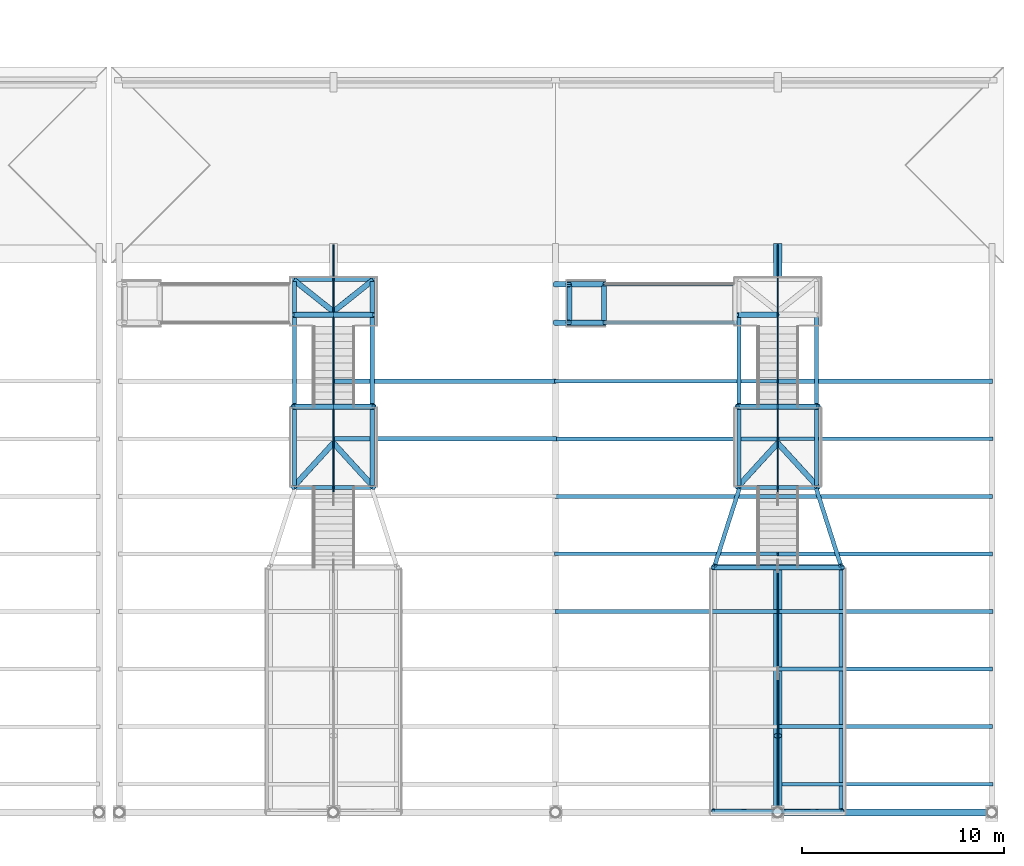
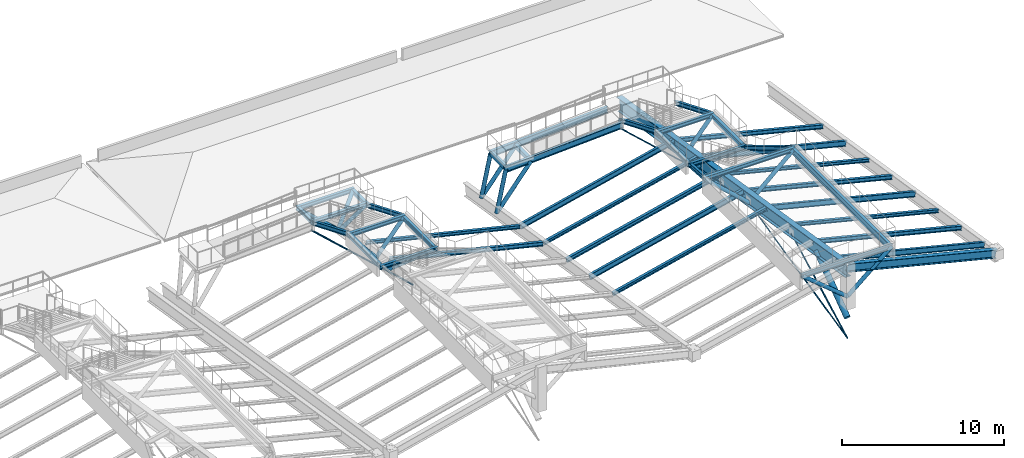
# One storey, part 14 of 43: 41 members, 27 beams.
"""IFC4 building model written with IfcOpenShell, lengths in metres."""

from ifc_helpers import new_model, si_unit, direction, frame, origin, origin_2d, place, context, subcontext, project, spatial, rectangle, circle, hollow_circle, i_section, extrude, material, material_profile, profile_set, type_object, element, save


model = new_model("IFC4")

# Units and contexts
model_context = context("Model", 3, precision=1e-05, world=origin(), true_north=direction((0.0, 1.0)))
body_context = subcontext(model_context, "Body", "Model", "MODEL_VIEW")
ifc_project = project(units=[si_unit("LENGTHUNIT", "METRE"), si_unit("AREAUNIT", "SQUARE_METRE"), si_unit("VOLUMEUNIT", "CUBIC_METRE"), si_unit("PLANEANGLEUNIT", "RADIAN"), si_unit("MASSUNIT", "GRAM", prefix="KILO")], contexts=[model_context])

# Site, building, storey
site_placement = place(None, origin())
site = spatial("IfcSite", under=ifc_project, at=site_placement, CompositionType="ELEMENT")
building_placement = place(site_placement, origin())
building = spatial("IfcBuilding", under=site, at=building_placement, Name="Caurita Quay Ferry Terminal", CompositionType="ELEMENT")
storey_placement = place(building_placement, frame((0.0, 0.0, 14.10009765625)))
storey = spatial("IfcBuildingStorey", under=building, at=storey_placement, Name="L03", CompositionType="ELEMENT", Elevation=14.10009765625)

# Beams
ifc_material_1 = material(Name="Structural steel ASTM A992 Gr. 50", Category="steel")
ifc_material_profile_1 = material_profile(ifc_material_1, i_section(OverallWidth=0.193115234375, OverallDepth=0.46728515625, WebThickness=0.011474609375, FlangeThickness=0.01904296875, FilletRadius=0.0126953125, at=origin_2d()), Name="W18X65")
ifc_profile_set_1 = profile_set([ifc_material_profile_1], Name="Structural steel ASTM A992 Gr. 50")
beam_type_1 = type_object("IfcBeamType", Name="BM-GR-W18A", PredefinedType="BEAM", material=ifc_profile_set_1)
beam_1_placement = place(storey_placement, frame((124.320068359375, 46.627685546875, 3.26611328125), z_axis=(0.0, -1.0, 0.0), x_axis=(1.0, 0.0, 0.0)))
element("IfcBeam", 1, at=beam_1_placement, inside=storey, type_object=beam_type_1, Name="Folded Roof Bay 6 Lookout Edge Beam 10", PredefinedType="BEAM", context=body_context, shape_type="SweptSolid", body=[
    extrude(i_section(OverallWidth=0.193115234375, OverallDepth=0.46728515625, WebThickness=0.011474609375, FlangeThickness=0.01904296875, FilletRadius=0.0126953125, at=origin_2d()), origin(), (0.0, 0.0, 1.0), 11.87548828125),
])
for number, where, z_axis, x_axis, name in (
    (2, (110.75, 58.85009765625, -0.78369140625), (0.998577828833, 0.0, 0.053313410734), (0.0, 1.0, 0.0), "Folded Roof Bay 6 Ramp Underside Stringer S"),
    (3, (110.75, 60.75, -0.78369140625), (0.998577828833, 0.0, 0.053313410734), (0.0, 1.0, 0.0), "Folded Roof Bay 6 Ramp Underside Stringer N"),
):
    element("IfcBeam", number, at=place(storey_placement, frame(where, z_axis=z_axis, x_axis=x_axis)), inside=storey, type_object=beam_type_1, Name=name, PredefinedType="BEAM", context=body_context, shape_type="SweptSolid", body=[
        extrude(i_section(OverallWidth=0.193115234375, OverallDepth=0.46728515625, WebThickness=0.011474609375, FlangeThickness=0.01904296875, FilletRadius=0.0126953125, at=origin_2d()), origin(), (0.0, 0.0, 1.0), 8.439697265625),
    ])
ifc_material_profile_2 = material_profile(ifc_material_1, i_section(OverallWidth=0.3251953125, OverallDepth=0.612060546875, WebThickness=0.0126953125, FlangeThickness=0.01904296875, FilletRadius=0.01513671875, at=origin_2d()), Name="W24X104")
ifc_profile_set_2 = profile_set([ifc_material_profile_2], Name="Structural steel ASTM A992 Gr. 50")
beam_type_2 = type_object("IfcBeamType", Name="BM-GR-W24A", PredefinedType="BEAM", material=ifc_profile_set_2)
beam_2_placement = place(storey_placement, frame((121.199951171875, 34.60009765625, 2.906005859375), z_axis=(0.970355100302, 0.0, -0.241683634775), x_axis=(0.0, 1.0, 0.0)))
element("IfcBeam", 4, at=beam_2_placement, inside=storey, type_object=beam_type_2, Name="Folded Roof Gable Ring Girder V2-S-121", PredefinedType="BEAM", context=body_context, shape_type="SweptSolid", body=[
    extrude(i_section(OverallWidth=0.3251953125, OverallDepth=0.612060546875, WebThickness=0.0126953125, FlangeThickness=0.01904296875, FilletRadius=0.01513671875, at=origin_2d()), origin(), (0.0, 0.0, 1.0), 10.923828125),
])
ifc_material_profile_3 = material_profile(ifc_material_1, i_section(OverallWidth=0.4013671875, OverallDepth=1.00830078125, WebThickness=0.02099609375, FlangeThickness=0.0400390625, FilletRadius=0.025390625, at=origin_2d()), Name="W40X277")
ifc_profile_set_3 = profile_set([ifc_material_profile_3], Name="Structural steel ASTM A992 Gr. 50")
beam_type_3 = type_object("IfcBeamType", Name="BM-RF-W40B", PredefinedType="BEAM", material=ifc_profile_set_3)
beam_3_placement = place(storey_placement, frame((121.199951171875, 62.699951171875, -1.78564453125), z_axis=(0.0, -0.98744132788, 0.157986151272), x_axis=(1.0, 0.0, 0.0)))
element("IfcBeam", 5, at=beam_3_placement, inside=storey, type_object=beam_type_3, Name="Folded Roof Ridge Girder V2-04", PredefinedType="BEAM", context=body_context, shape_type="SweptSolid", body=[
    extrude(i_section(OverallWidth=0.4013671875, OverallDepth=1.00830078125, WebThickness=0.02099609375, FlangeThickness=0.0400390625, FilletRadius=0.025390625, at=origin_2d()), origin(), (0.0, 0.0, 1.0), 28.457275390625),
])
ifc_material_profile_4 = material_profile(ifc_material_1, i_section(OverallWidth=0.20458984375, OverallDepth=0.307373046875, WebThickness=0.008544921875, FlangeThickness=0.0146484375, FilletRadius=0.0126953125, at=origin_2d()), Name="W12X45")
ifc_profile_set_4 = profile_set([ifc_material_profile_4], Name="Structural steel ASTM A992 Gr. 50")
beam_type_4 = type_object("IfcBeamType", Name="BM-TRM-W12", PredefinedType="BEAM", material=ifc_profile_set_4)
for number, where, z_axis, x_axis, name in (
    (6, (97.14990234375, 61.0, -0.25390625), (1.0, 0.0, 0.0), (0.0, 1.0, 0.0), "Folded Roof Bay 5 Stair Trimmer Beam 1"),
    (7, (97.14990234375, 59.25, -0.25390625), (1.0, 0.0, 0.0), (0.0, 1.0, 0.0), "Folded Roof Bay 5 Stair Trimmer Beam 2"),
    (8, (97.14990234375, 54.68994140625, 1.546142578125), (1.0, 0.0, 0.0), (0.0, 1.0, 0.0), "Folded Roof Bay 5 Stair Trimmer Beam 3"),
    (9, (97.14990234375, 50.68994140625, 1.546142578125), (1.0, 0.0, 0.0), (0.0, 1.0, 0.0), "Folded Roof Bay 5 Stair Trimmer Beam 4"),
):
    element("IfcBeam", number, at=place(storey_placement, frame(where, z_axis=z_axis, x_axis=x_axis)), inside=storey, type_object=beam_type_4, Name=name, PredefinedType="BEAM", context=body_context, shape_type="SweptSolid", body=[
        extrude(i_section(OverallWidth=0.20458984375, OverallDepth=0.307373046875, WebThickness=0.008544921875, FlangeThickness=0.0146484375, FilletRadius=0.0126953125, at=origin_2d()), origin(), (0.0, 0.0, 1.0), 4.10009765625),
    ])
for number, where, z_axis, x_axis, name in (
    (10, (97.280029296875, 60.897705078125, -0.25390625), (0.0, -1.0, 0.0), (1.0, 0.0, 0.0), "Folded Roof Bay 5 Lookout Edge Beam 01"),
    (11, (101.1201171875, 60.897705078125, -0.25390625), (0.0, -1.0, 0.0), (1.0, 0.0, 0.0), "Folded Roof Bay 5 Lookout Edge Beam 02"),
):
    element("IfcBeam", number, at=place(storey_placement, frame(where, z_axis=z_axis, x_axis=x_axis)), inside=storey, type_object=beam_type_4, Name=name, PredefinedType="BEAM", context=body_context, shape_type="SweptSolid", body=[
        extrude(i_section(OverallWidth=0.20458984375, OverallDepth=0.307373046875, WebThickness=0.008544921875, FlangeThickness=0.0146484375, FilletRadius=0.0126953125, at=origin_2d()), origin(), (0.0, 0.0, 1.0), 1.54541015625),
    ])
for number, where, z_axis, x_axis, name in (
    (12, (97.280029296875, 59.147705078125, -0.25390625), (0.0, -0.924182728414, 0.381950630975), (1.0, 0.0, 0.0), "Folded Roof Bay 5 Lookout Edge Beam 03"),
    (13, (101.1201171875, 59.147705078125, -0.25390625), (0.0, -0.924182728414, 0.381950630975), (1.0, 0.0, 0.0), "Folded Roof Bay 5 Lookout Edge Beam 04"),
):
    element("IfcBeam", number, at=place(storey_placement, frame(where, z_axis=z_axis, x_axis=x_axis)), inside=storey, type_object=beam_type_4, Name=name, PredefinedType="BEAM", context=body_context, shape_type="SweptSolid", body=[
        extrude(i_section(OverallWidth=0.20458984375, OverallDepth=0.307373046875, WebThickness=0.008544921875, FlangeThickness=0.0146484375, FilletRadius=0.0126953125, at=origin_2d()), origin(), (0.0, 0.0, 1.0), 4.712890625),
    ])
for number, where, z_axis, x_axis, name in (
    (14, (97.280029296875, 54.587890625, 1.546142578125), (0.0, -1.0, 0.0), (1.0, 0.0, 0.0), "Folded Roof Bay 5 Lookout Edge Beam 05"),
    (15, (101.1201171875, 54.587890625, 1.546142578125), (0.0, -1.0, 0.0), (1.0, 0.0, 0.0), "Folded Roof Bay 5 Lookout Edge Beam 06"),
):
    element("IfcBeam", number, at=place(storey_placement, frame(where, z_axis=z_axis, x_axis=x_axis)), inside=storey, type_object=beam_type_4, Name=name, PredefinedType="BEAM", context=body_context, shape_type="SweptSolid", body=[
        extrude(i_section(OverallWidth=0.20458984375, OverallDepth=0.307373046875, WebThickness=0.008544921875, FlangeThickness=0.0146484375, FilletRadius=0.0126953125, at=origin_2d()), origin(), (0.0, 0.0, 1.0), 3.795654296875),
    ])
for number, where, z_axis, x_axis, name in (
    (16, (119.14990234375, 54.68994140625, 1.546142578125), (1.0, 0.0, 0.0), (0.0, 1.0, 0.0), "Folded Roof Bay 6 Stair Trimmer Beam 3"),
    (17, (119.14990234375, 50.68994140625, 1.546142578125), (1.0, 0.0, 0.0), (0.0, 1.0, 0.0), "Folded Roof Bay 6 Stair Trimmer Beam 4"),
):
    element("IfcBeam", number, at=place(storey_placement, frame(where, z_axis=z_axis, x_axis=x_axis)), inside=storey, type_object=beam_type_4, Name=name, PredefinedType="BEAM", context=body_context, shape_type="SweptSolid", body=[
        extrude(i_section(OverallWidth=0.20458984375, OverallDepth=0.307373046875, WebThickness=0.008544921875, FlangeThickness=0.0146484375, FilletRadius=0.0126953125, at=origin_2d()), origin(), (0.0, 0.0, 1.0), 4.10009765625),
    ])
for number, where, z_axis, x_axis, name in (
    (18, (117.949951171875, 46.72998046875, 3.34619140625), (1.0, 0.0, 0.0), (0.0, 1.0, 0.0), "Folded Roof Bay 6 Stair Trimmer Beam 5"),
    (19, (117.949951171875, 34.64990234375, 3.34619140625), (1.0, 0.0, 0.0), (0.0, 1.0, 0.0), "Folded Roof Bay 6 Stair Trimmer Beam 6"),
):
    element("IfcBeam", number, at=place(storey_placement, frame(where, z_axis=z_axis, x_axis=x_axis)), inside=storey, type_object=beam_type_4, Name=name, PredefinedType="BEAM", context=body_context, shape_type="SweptSolid", body=[
        extrude(i_section(OverallWidth=0.20458984375, OverallDepth=0.307373046875, WebThickness=0.008544921875, FlangeThickness=0.0146484375, FilletRadius=0.0126953125, at=origin_2d()), origin(), (0.0, 0.0, 1.0), 6.5),
    ])
for number, where, z_axis, x_axis, name in (
    (20, (119.280029296875, 59.147705078125, -0.25390625), (0.0, -0.924182728414, 0.381950630975), (1.0, 0.0, 0.0), "Folded Roof Bay 6 Lookout Edge Beam 03"),
    (21, (123.1201171875, 59.147705078125, -0.25390625), (0.0, -0.924182728414, 0.381950630975), (1.0, 0.0, 0.0), "Folded Roof Bay 6 Lookout Edge Beam 04"),
):
    element("IfcBeam", number, at=place(storey_placement, frame(where, z_axis=z_axis, x_axis=x_axis)), inside=storey, type_object=beam_type_4, Name=name, PredefinedType="BEAM", context=body_context, shape_type="SweptSolid", body=[
        extrude(i_section(OverallWidth=0.20458984375, OverallDepth=0.307373046875, WebThickness=0.008544921875, FlangeThickness=0.0146484375, FilletRadius=0.0126953125, at=origin_2d()), origin(), (0.0, 0.0, 1.0), 4.712890625),
    ])
for number, where, z_axis, x_axis, name in (
    (22, (119.280029296875, 54.587890625, 1.546142578125), (0.0, -1.0, 0.0), (1.0, 0.0, 0.0), "Folded Roof Bay 6 Lookout Edge Beam 05"),
    (23, (123.1201171875, 54.587890625, 1.546142578125), (0.0, -1.0, 0.0), (1.0, 0.0, 0.0), "Folded Roof Bay 6 Lookout Edge Beam 06"),
):
    element("IfcBeam", number, at=place(storey_placement, frame(where, z_axis=z_axis, x_axis=x_axis)), inside=storey, type_object=beam_type_4, Name=name, PredefinedType="BEAM", context=body_context, shape_type="SweptSolid", body=[
        extrude(i_section(OverallWidth=0.20458984375, OverallDepth=0.307373046875, WebThickness=0.008544921875, FlangeThickness=0.0146484375, FilletRadius=0.0126953125, at=origin_2d()), origin(), (0.0, 0.0, 1.0), 3.795654296875),
    ])
for number, where, z_axis, x_axis, name in (
    (24, (119.280029296875, 50.587890625, 1.546142578125), (-0.276860750417, -0.866520635538, 0.415319290504), (0.952559941387, -0.304351044134, 0.0), "Folded Roof Bay 6 Lookout Edge Beam 07"),
    (25, (123.1201171875, 50.587890625, 1.546142578125), (0.276860750417, -0.866520635538, 0.415319290504), (0.952559941387, 0.304351044134, 0.0), "Folded Roof Bay 6 Lookout Edge Beam 08"),
):
    element("IfcBeam", number, at=place(storey_placement, frame(where, z_axis=z_axis, x_axis=x_axis)), inside=storey, type_object=beam_type_4, Name=name, PredefinedType="BEAM", context=body_context, shape_type="SweptSolid", body=[
        extrude(i_section(OverallWidth=0.20458984375, OverallDepth=0.307373046875, WebThickness=0.008544921875, FlangeThickness=0.0146484375, FilletRadius=0.0126953125, at=origin_2d()), origin(), (0.0, 0.0, 1.0), 4.334228515625),
    ])
ifc_material_2 = material(Name="Reinforced concrete C35/45", Category="concrete")
ifc_material_profile_5 = material_profile(ifc_material_2, rectangle(XDim=0.25, YDim=0.300048828125, at=origin_2d()), Name="RC-LN-250X300")
ifc_profile_set_5 = profile_set([ifc_material_profile_5], Name="Reinforced concrete C35/45")
beam_type_5 = type_object("IfcBeamType", Name="LN-RC-2530", PredefinedType="LINTEL", material=ifc_profile_set_5)
for number, where, z_axis, x_axis, name in (
    (26, (110.8798828125, 58.946533203125, -0.7001953125), (0.0, 1.0, 0.0), (-1.0, 0.0, 0.0), "Folded Roof Bay 6 Ramp Pad Transverse Beam 1"),
    (27, (112.60009765625, 58.946533203125, -0.7001953125), (0.0, 1.0, 0.0), (-1.0, 0.0, 0.0), "Folded Roof Bay 6 Ramp Pad Transverse Beam 2"),
):
    element("IfcBeam", number, at=place(storey_placement, frame(where, z_axis=z_axis, x_axis=x_axis)), inside=storey, type_object=beam_type_5, Name=name, PredefinedType="LINTEL", context=body_context, shape_type="SweptSolid", body=[
        extrude(rectangle(XDim=0.25, YDim=0.300048828125, at=origin_2d()), origin(), (0.0, 0.0, 1.0), 1.70703125),
    ])

# Members
ifc_material_3 = material(Name="Structural stay cable steel ASTM A586", Category="steel")
ifc_material_profile_6 = material_profile(ifc_material_3, circle(Radius=0.031982421875, at=origin_2d()), Name="CABLE-D64")
ifc_profile_set_6 = profile_set([ifc_material_profile_6], Name="Structural stay cable steel ASTM A586")
member_type_1 = type_object("IfcMemberType", Name="MEM-CBL-64", PredefinedType="USERDEFINED", material=ifc_profile_set_6)
member_1_placement = place(storey_placement, frame((121.199951171875, 34.60009765625, -2.4501953125), z_axis=(0.0, 0.973633419995, 0.228118310246), x_axis=(-1.0, 0.0, 0.0)))
element("IfcMember", 28, at=member_1_placement, inside=storey, type_object=member_type_1, Name="Folded Roof Stay Cable V2-04-S2", ObjectType="STAY CABLE", PredefinedType="USERDEFINED", context=body_context, shape_type="SweptSolid", body=[
    extrude(circle(Radius=0.031982421875, at=origin_2d()), origin(), (0.0, 0.0, 1.0), 12.5302734375),
])
member_2_placement = place(storey_placement, frame((121.199951171875, 62.699951171875, -3.650146484375), z_axis=(0.0, -0.962913233347, 0.269811239657), x_axis=(1.0, 0.0, 0.0)))
element("IfcMember", 29, at=member_2_placement, inside=storey, type_object=member_type_1, Name="Folded Roof Stay Cable V2-04-N2", ObjectType="STAY CABLE", PredefinedType="USERDEFINED", context=body_context, shape_type="SweptSolid", body=[
    extrude(circle(Radius=0.031982421875, at=origin_2d()), origin(), (0.0, 0.0, 1.0), 13.085205078125),
])
ifc_material_profile_7 = material_profile(ifc_material_3, circle(Radius=0.0380859375, at=origin_2d()), Name="CABLE-D76")
ifc_profile_set_7 = profile_set([ifc_material_profile_7], Name="Structural stay cable steel ASTM A586")
member_type_2 = type_object("IfcMemberType", Name="MEM-CBL-76", PredefinedType="USERDEFINED", material=ifc_profile_set_7)
member_3_placement = place(storey_placement, frame((121.199951171875, 34.60009765625, -2.4501953125), z_axis=(0.0, 0.880939084742, 0.473229678882), x_axis=(-1.0, 0.0, 0.0)))
element("IfcMember", 30, at=member_3_placement, inside=storey, type_object=member_type_2, Name="Folded Roof Stay Cable V2-04-S1", ObjectType="STAY CABLE", PredefinedType="USERDEFINED", context=body_context, shape_type="SweptSolid", body=[
    extrude(circle(Radius=0.0380859375, at=origin_2d()), origin(), (0.0, 0.0, 1.0), 7.83251953125),
])
ifc_material_profile_8 = material_profile(ifc_material_3, circle(Radius=0.044921875, at=origin_2d()), Name="CABLE-D90")
ifc_profile_set_8 = profile_set([ifc_material_profile_8], Name="Structural stay cable steel ASTM A586")
member_type_3 = type_object("IfcMemberType", Name="MEM-CBL-90", PredefinedType="USERDEFINED", material=ifc_profile_set_8)
member_4_placement = place(storey_placement, frame((99.199951171875, 62.699951171875, -3.650146484375), z_axis=(0.0, -0.963039177166, 0.269361361824), x_axis=(1.0, 0.0, 0.0)))
element("IfcMember", 31, at=member_4_placement, inside=storey, type_object=member_type_3, Name="Folded Roof Stay Cable V2-02-N2", ObjectType="STAY CABLE", PredefinedType="USERDEFINED", context=body_context, shape_type="SweptSolid", body=[
    extrude(circle(Radius=0.044921875, at=origin_2d()), origin(), (0.0, 0.0, 1.0), 13.08349609375),
])
ifc_material_profile_9 = material_profile(ifc_material_1, i_section(OverallWidth=0.2021484375, OverallDepth=0.246337890625, WebThickness=0.00732421875, FlangeThickness=0.010986328125, FilletRadius=0.01025390625, at=origin_2d()), Name="W10X33")
ifc_profile_set_9 = profile_set([ifc_material_profile_9], Name="Structural steel ASTM A992 Gr. 50")
member_type_4 = type_object("IfcMemberType", Name="MEM-PUR-10", PredefinedType="PURLIN", material=ifc_profile_set_9)
for number, where, z_axis, x_axis, name in (
    (32, (99.199951171875, 55.949951171875, -0.47998046875), (0.972384559308, 0.0, -0.23338437998), (0.0, 1.0, 0.0), "Folded Roof Purlin PUR-098"),
    (33, (110.199951171875, 44.550048828125, -1.296142578125), (0.972384559308, 0.0, 0.23338437998), (0.0, 1.0, 0.0), "Folded Roof Purlin PUR-104"),
):
    element("IfcMember", number, at=place(storey_placement, frame(where, z_axis=z_axis, x_axis=x_axis)), inside=storey, type_object=member_type_4, Name=name, PredefinedType="PURLIN", context=body_context, shape_type="SweptSolid", body=[
        extrude(i_section(OverallWidth=0.2021484375, OverallDepth=0.246337890625, WebThickness=0.00732421875, FlangeThickness=0.010986328125, FilletRadius=0.01025390625, at=origin_2d()), origin(), (0.0, 0.0, 1.0), 11.3125),
    ])
member_5_placement = place(storey_placement, frame((110.199951171875, 53.10009765625, -2.6640625), z_axis=(0.972389456854, 0.0, 0.233363973654), x_axis=(0.0, 1.0, 0.0)))
element("IfcMember", 34, at=member_5_placement, inside=storey, type_object=member_type_4, Name="Folded Roof Purlin PUR-107", PredefinedType="PURLIN", context=body_context, shape_type="SweptSolid", body=[
    extrude(i_section(OverallWidth=0.2021484375, OverallDepth=0.246337890625, WebThickness=0.00732421875, FlangeThickness=0.010986328125, FilletRadius=0.01025390625, at=origin_2d()), origin(), (0.0, 0.0, 1.0), 11.312255859375),
])
for number, where, z_axis, x_axis, name in (
    (35, (121.199951171875, 41.699951171875, 1.7998046875), (0.9703603414, 0.0, -0.241662590897), (0.0, 1.0, 0.0), "Folded Roof Purlin PUR-113"),
    (36, (121.199951171875, 50.25, 0.431884765625), (0.9703603414, 0.0, -0.241662590897), (0.0, 1.0, 0.0), "Folded Roof Purlin PUR-116"),
):
    element("IfcMember", number, at=place(storey_placement, frame(where, z_axis=z_axis, x_axis=x_axis)), inside=storey, type_object=member_type_4, Name=name, PredefinedType="PURLIN", context=body_context, shape_type="SweptSolid", body=[
        extrude(i_section(OverallWidth=0.2021484375, OverallDepth=0.246337890625, WebThickness=0.00732421875, FlangeThickness=0.010986328125, FilletRadius=0.01025390625, at=origin_2d()), origin(), (0.0, 0.0, 1.0), 10.923828125),
    ])
ifc_material_profile_10 = material_profile(ifc_material_1, i_section(OverallWidth=0.20458984375, OverallDepth=0.307373046875, WebThickness=0.008544921875, FlangeThickness=0.0146484375, FilletRadius=0.0126953125, at=origin_2d()), Name="W12X45")
ifc_profile_set_10 = profile_set([ifc_material_profile_10], Name="Structural steel ASTM A992 Gr. 50")
member_type_5 = type_object("IfcMemberType", Name="MEM-PUR-12", PredefinedType="PURLIN", material=ifc_profile_set_10)
for number, where, z_axis, x_axis, name in (
    (37, (99.199951171875, 53.10009765625, -0.024169921875), (0.972389456854, 0.0, -0.233363973654), (0.0, 1.0, 0.0), "Folded Roof Purlin PUR-097"),
    (38, (110.199951171875, 50.25, -2.2080078125), (0.972389456854, 0.0, 0.233363973654), (0.0, 1.0, 0.0), "Folded Roof Purlin PUR-106"),
):
    element("IfcMember", number, at=place(storey_placement, frame(where, z_axis=z_axis, x_axis=x_axis)), inside=storey, type_object=member_type_5, Name=name, PredefinedType="PURLIN", context=body_context, shape_type="SweptSolid", body=[
        extrude(i_section(OverallWidth=0.20458984375, OverallDepth=0.307373046875, WebThickness=0.008544921875, FlangeThickness=0.0146484375, FilletRadius=0.0126953125, at=origin_2d()), origin(), (0.0, 0.0, 1.0), 11.312255859375),
    ])
for number, where, z_axis, x_axis, name in (
    (39, (121.199951171875, 38.85009765625, 2.255859375), (0.9703603414, 0.0, -0.241662590897), (0.0, 1.0, 0.0), "Folded Roof Purlin PUR-112"),
    (40, (121.199951171875, 47.39990234375, 0.887939453125), (0.970355100302, 0.0, -0.241683634775), (0.0, 1.0, 0.0), "Folded Roof Purlin PUR-115"),
    (41, (121.199951171875, 55.949951171875, -0.47998046875), (0.970355100302, 0.0, -0.241683634775), (0.0, 1.0, 0.0), "Folded Roof Purlin PUR-118"),
):
    element("IfcMember", number, at=place(storey_placement, frame(where, z_axis=z_axis, x_axis=x_axis)), inside=storey, type_object=member_type_5, Name=name, PredefinedType="PURLIN", context=body_context, shape_type="SweptSolid", body=[
        extrude(i_section(OverallWidth=0.20458984375, OverallDepth=0.307373046875, WebThickness=0.008544921875, FlangeThickness=0.0146484375, FilletRadius=0.0126953125, at=origin_2d()), origin(), (0.0, 0.0, 1.0), 10.923828125),
    ])
ifc_material_profile_11 = material_profile(ifc_material_1, i_section(OverallWidth=0.177734375, OverallDepth=0.40380859375, WebThickness=0.007568359375, FlangeThickness=0.010986328125, FilletRadius=0.011474609375, at=origin_2d()), Name="W16X36")
ifc_profile_set_11 = profile_set([ifc_material_profile_11], Name="Structural steel ASTM A992 Gr. 50")
member_type_6 = type_object("IfcMemberType", Name="MEM-PUR-16", PredefinedType="PURLIN", material=ifc_profile_set_11)
for number, where, z_axis, x_axis, name in (
    (42, (110.199951171875, 47.39990234375, -1.752197265625), (0.972384559308, 0.0, 0.23338437998), (0.0, 1.0, 0.0), "Folded Roof Purlin PUR-105"),
    (43, (110.199951171875, 55.949951171875, -3.1201171875), (0.972384559308, 0.0, 0.23338437998), (0.0, 1.0, 0.0), "Folded Roof Purlin PUR-108"),
):
    element("IfcMember", number, at=place(storey_placement, frame(where, z_axis=z_axis, x_axis=x_axis)), inside=storey, type_object=member_type_6, Name=name, PredefinedType="PURLIN", context=body_context, shape_type="SweptSolid", body=[
        extrude(i_section(OverallWidth=0.177734375, OverallDepth=0.40380859375, WebThickness=0.007568359375, FlangeThickness=0.010986328125, FilletRadius=0.011474609375, at=origin_2d()), origin(), (0.0, 0.0, 1.0), 11.3125),
    ])
for number, where, z_axis, x_axis, name in (
    (44, (121.199951171875, 36.0, 2.7119140625), (0.9703603414, 0.0, -0.241662590897), (0.0, 1.0, 0.0), "Folded Roof Purlin PUR-111"),
    (45, (121.199951171875, 44.550048828125, 1.343994140625), (0.970355100302, 0.0, -0.241683634775), (0.0, 1.0, 0.0), "Folded Roof Purlin PUR-114"),
    (46, (121.199951171875, 53.10009765625, -0.024169921875), (0.9703603414, 0.0, -0.241662590897), (0.0, 1.0, 0.0), "Folded Roof Purlin PUR-117"),
):
    element("IfcMember", number, at=place(storey_placement, frame(where, z_axis=z_axis, x_axis=x_axis)), inside=storey, type_object=member_type_6, Name=name, PredefinedType="PURLIN", context=body_context, shape_type="SweptSolid", body=[
        extrude(i_section(OverallWidth=0.177734375, OverallDepth=0.40380859375, WebThickness=0.007568359375, FlangeThickness=0.010986328125, FilletRadius=0.011474609375, at=origin_2d()), origin(), (0.0, 0.0, 1.0), 10.923828125),
    ])
ifc_material_4 = material(Name="Hollow structural steel ASTM A500 Gr. C", Category="steel")
ifc_material_profile_12 = material_profile(ifc_material_4, hollow_circle(Radius=0.136474609375, WallThickness=0.008544921875, at=origin_2d()), Name="HSS10.750X0.365")
ifc_profile_set_12 = profile_set([ifc_material_profile_12], Name="Hollow structural steel ASTM A500 Gr. C")
member_type_7 = type_object("IfcMemberType", Name="MEM-STR-10", PredefinedType="STRUT", material=ifc_profile_set_12)
for number, where, z_axis, x_axis, name in (
    (47, (99.199951171875, 59.39990234375, -1.612060546875), (-0.691667618679, 0.550612118648, 0.467356609099), (-0.622815852586, -0.782368464196, 0.0), "Folded Roof Bay 5 Lookout Bent Strut 1W"),
    (48, (99.199951171875, 59.39990234375, -1.612060546875), (0.691667618679, 0.550612118648, 0.467356609099), (-0.622815852586, 0.782368464196, 0.0), "Folded Roof Bay 5 Lookout Bent Strut 1E"),
):
    element("IfcMember", number, at=place(storey_placement, frame(where, z_axis=z_axis, x_axis=x_axis)), inside=storey, type_object=member_type_7, Name=name, PredefinedType="STRUT", context=body_context, shape_type="SweptSolid", body=[
        extrude(hollow_circle(Radius=0.136474609375, WallThickness=0.008544921875, at=origin_2d()), origin(), (0.0, 0.0, 1.0), 2.906005859375),
    ])
for number, where, z_axis, x_axis, name in (
    (49, (99.199951171875, 59.25, -1.588134765625), (-0.833154023722, 0.0, 0.55304102267), (0.0, -1.0, 0.0), "Folded Roof Bay 5 Lookout Bent Strut 2W"),
    (50, (99.199951171875, 59.25, -1.588134765625), (0.833154023722, 0.0, 0.55304102267), (0.0, 1.0, 0.0), "Folded Roof Bay 5 Lookout Bent Strut 2E"),
):
    element("IfcMember", number, at=place(storey_placement, frame(where, z_axis=z_axis, x_axis=x_axis)), inside=storey, type_object=member_type_7, Name=name, PredefinedType="STRUT", context=body_context, shape_type="SweptSolid", body=[
        extrude(hollow_circle(Radius=0.136474609375, WallThickness=0.008544921875, at=origin_2d()), origin(), (0.0, 0.0, 1.0), 2.41259765625),
    ])
for number, where, z_axis, x_axis, name in (
    (51, (99.199951171875, 54.68994140625, -0.8583984375), (-0.641355995055, 0.0, 0.767243434385), (0.0, -1.0, 0.0), "Folded Roof Bay 5 Lookout Bent Strut 3W"),
    (52, (99.199951171875, 54.68994140625, -0.8583984375), (0.641355995055, 0.0, 0.767243434385), (0.0, 1.0, 0.0), "Folded Roof Bay 5 Lookout Bent Strut 3E"),
):
    element("IfcMember", number, at=place(storey_placement, frame(where, z_axis=z_axis, x_axis=x_axis)), inside=storey, type_object=member_type_7, Name=name, PredefinedType="STRUT", context=body_context, shape_type="SweptSolid", body=[
        extrude(hollow_circle(Radius=0.136474609375, WallThickness=0.008544921875, at=origin_2d()), origin(), (0.0, 0.0, 1.0), 3.134033203125),
    ])
for number, where, z_axis, x_axis, name in (
    (53, (99.199951171875, 52.889892578125, -0.570556640625), (-0.549907207935, -0.601872203414, 0.579095772234), (0.738258416995, -0.674517983256, 0.0), "Folded Roof Bay 5 Lookout Bent Strut 4W"),
    (54, (99.199951171875, 52.889892578125, -0.570556640625), (0.549907207935, -0.601872203414, 0.579095772234), (0.738258416995, 0.674517983256, 0.0), "Folded Roof Bay 5 Lookout Bent Strut 4E"),
):
    element("IfcMember", number, at=place(storey_placement, frame(where, z_axis=z_axis, x_axis=x_axis)), inside=storey, type_object=member_type_7, Name=name, PredefinedType="STRUT", context=body_context, shape_type="SweptSolid", body=[
        extrude(hollow_circle(Radius=0.136474609375, WallThickness=0.008544921875, at=origin_2d()), origin(), (0.0, 0.0, 1.0), 3.6552734375),
    ])
member_6_placement = place(storey_placement, frame((121.199951171875, 59.25, -1.588134765625), z_axis=(-0.833154023722, 0.0, 0.55304102267), x_axis=(0.0, -1.0, 0.0)))
element("IfcMember", 55, at=member_6_placement, inside=storey, type_object=member_type_7, Name="Folded Roof Bay 6 Lookout Bent Strut 2W", PredefinedType="STRUT", context=body_context, shape_type="SweptSolid", body=[
    extrude(hollow_circle(Radius=0.136474609375, WallThickness=0.008544921875, at=origin_2d()), origin(), (0.0, 0.0, 1.0), 2.41259765625),
])
for number, where, z_axis, x_axis, name in (
    (56, (121.199951171875, 54.68994140625, -0.8583984375), (-0.641355995055, 0.0, 0.767243434385), (0.0, -1.0, 0.0), "Folded Roof Bay 6 Lookout Bent Strut 3W"),
    (57, (121.199951171875, 54.68994140625, -0.8583984375), (0.641355995055, 0.0, 0.767243434385), (0.0, 1.0, 0.0), "Folded Roof Bay 6 Lookout Bent Strut 3E"),
):
    element("IfcMember", number, at=place(storey_placement, frame(where, z_axis=z_axis, x_axis=x_axis)), inside=storey, type_object=member_type_7, Name=name, PredefinedType="STRUT", context=body_context, shape_type="SweptSolid", body=[
        extrude(hollow_circle(Radius=0.136474609375, WallThickness=0.008544921875, at=origin_2d()), origin(), (0.0, 0.0, 1.0), 3.134033203125),
    ])
for number, where, z_axis, x_axis, name in (
    (58, (121.199951171875, 52.889892578125, -0.570556640625), (-0.549907207935, -0.601872203414, 0.579095772234), (0.738258416995, -0.674517983256, 0.0), "Folded Roof Bay 6 Lookout Bent Strut 4W"),
    (59, (121.199951171875, 52.889892578125, -0.570556640625), (0.549907207935, -0.601872203414, 0.579095772234), (0.738258416995, 0.674517983256, 0.0), "Folded Roof Bay 6 Lookout Bent Strut 4E"),
):
    element("IfcMember", number, at=place(storey_placement, frame(where, z_axis=z_axis, x_axis=x_axis)), inside=storey, type_object=member_type_7, Name=name, PredefinedType="STRUT", context=body_context, shape_type="SweptSolid", body=[
        extrude(hollow_circle(Radius=0.136474609375, WallThickness=0.008544921875, at=origin_2d()), origin(), (0.0, 0.0, 1.0), 3.6552734375),
    ])
for number, where, z_axis, x_axis, name in (
    (60, (121.199951171875, 46.72998046875, 0.4150390625), (-0.738449014964, 0.0, 0.674309315003), (0.0, -1.0, 0.0), "Folded Roof Bay 6 Lookout Bent Strut 5W"),
    (61, (121.199951171875, 46.72998046875, 0.4150390625), (0.738449014964, 0.0, 0.674309315003), (0.0, 1.0, 0.0), "Folded Roof Bay 6 Lookout Bent Strut 5E"),
):
    element("IfcMember", number, at=place(storey_placement, frame(where, z_axis=z_axis, x_axis=x_axis)), inside=storey, type_object=member_type_7, Name=name, PredefinedType="STRUT", context=body_context, shape_type="SweptSolid", body=[
        extrude(hollow_circle(Radius=0.136474609375, WallThickness=0.008544921875, at=origin_2d()), origin(), (0.0, 0.0, 1.0), 4.346923828125),
    ])
for number, where, z_axis, x_axis, name in (
    (62, (121.199951171875, 34.60009765625, 0.699951171875), (-0.771551284147, 0.011971133402, 0.636054485006), (-0.01551380053, -0.999879653755, 0.0), "Folded Roof Bay 6 Lookout Bent Strut 6W"),
    (63, (121.199951171875, 34.60009765625, 0.699951171875), (0.771551284147, 0.011971133402, 0.636054485006), (-0.01551380053, 0.999879653755, 0.0), "Folded Roof Bay 6 Lookout Bent Strut 6E"),
):
    element("IfcMember", number, at=place(storey_placement, frame(where, z_axis=z_axis, x_axis=x_axis)), inside=storey, type_object=member_type_7, Name=name, PredefinedType="STRUT", context=body_context, shape_type="SweptSolid", body=[
        extrude(hollow_circle(Radius=0.136474609375, WallThickness=0.008544921875, at=origin_2d()), origin(), (0.0, 0.0, 1.0), 4.160400390625),
    ])
member_7_placement = place(storey_placement, frame((110.199951171875, 58.85009765625, -3.8662109375), z_axis=(0.206373694064, 0.0, 0.978473248688), x_axis=(0.0, 1.0, 0.0)))
element("IfcMember", 64, at=member_7_placement, inside=storey, type_object=member_type_7, Name="Folded Roof Bay 6 Ramp Pad Strut 1S", PredefinedType="STRUT", context=body_context, shape_type="SweptSolid", body=[
    extrude(hollow_circle(Radius=0.136474609375, WallThickness=0.008544921875, at=origin_2d()), origin(), (0.0, 0.0, 1.0), 3.150390625),
])
member_8_placement = place(storey_placement, frame((110.199951171875, 58.85009765625, -3.8662109375), z_axis=(0.622204179783, 0.0, 0.782855004877), x_axis=(0.0, 1.0, 0.0)))
element("IfcMember", 65, at=member_8_placement, inside=storey, type_object=member_type_7, Name="Folded Roof Bay 6 Ramp Pad Strut 2S", PredefinedType="STRUT", context=body_context, shape_type="SweptSolid", body=[
    extrude(hollow_circle(Radius=0.136474609375, WallThickness=0.008544921875, at=origin_2d()), origin(), (0.0, 0.0, 1.0), 3.9375),
])
member_9_placement = place(storey_placement, frame((110.199951171875, 60.75, -3.8662109375), z_axis=(0.206373694064, 0.0, 0.978473248688), x_axis=(0.0, 1.0, 0.0)))
element("IfcMember", 66, at=member_9_placement, inside=storey, type_object=member_type_7, Name="Folded Roof Bay 6 Ramp Pad Strut 1N", PredefinedType="STRUT", context=body_context, shape_type="SweptSolid", body=[
    extrude(hollow_circle(Radius=0.136474609375, WallThickness=0.008544921875, at=origin_2d()), origin(), (0.0, 0.0, 1.0), 3.150390625),
])
member_10_placement = place(storey_placement, frame((110.199951171875, 60.75, -3.8662109375), z_axis=(0.622204179783, 0.0, 0.782855004877), x_axis=(0.0, 1.0, 0.0)))
element("IfcMember", 67, at=member_10_placement, inside=storey, type_object=member_type_7, Name="Folded Roof Bay 6 Ramp Pad Strut 2N", PredefinedType="STRUT", context=body_context, shape_type="SweptSolid", body=[
    extrude(hollow_circle(Radius=0.136474609375, WallThickness=0.008544921875, at=origin_2d()), origin(), (0.0, 0.0, 1.0), 3.9375),
])
ifc_material_profile_13 = material_profile(ifc_material_4, hollow_circle(Radius=0.203125, WallThickness=0.01171875, at=origin_2d()), Name="HSS16.000X0.500")
ifc_profile_set_13 = profile_set([ifc_material_profile_13], Name="Hollow structural steel ASTM A500 Gr. C")
member_type_8 = type_object("IfcMemberType", Name="MEM-STR-16", PredefinedType="STRUT", material=ifc_profile_set_13)
member_11_placement = place(storey_placement, frame((121.199951171875, 34.60009765625, -0.900146484375), z_axis=(0.0, 0.809855173056, 0.58662986514), x_axis=(-1.0, 0.0, 0.0)))
element("IfcMember", 68, at=member_11_placement, inside=storey, type_object=member_type_8, Name="Mast Tree-Strut V2-04-S1", PredefinedType="STRUT", context=body_context, shape_type="SweptSolid", body=[
    extrude(hollow_circle(Radius=0.203125, WallThickness=0.01171875, at=origin_2d()), origin(), (0.0, 0.0, 1.0), 4.69189453125),
])

save(model, "model.ifc")
